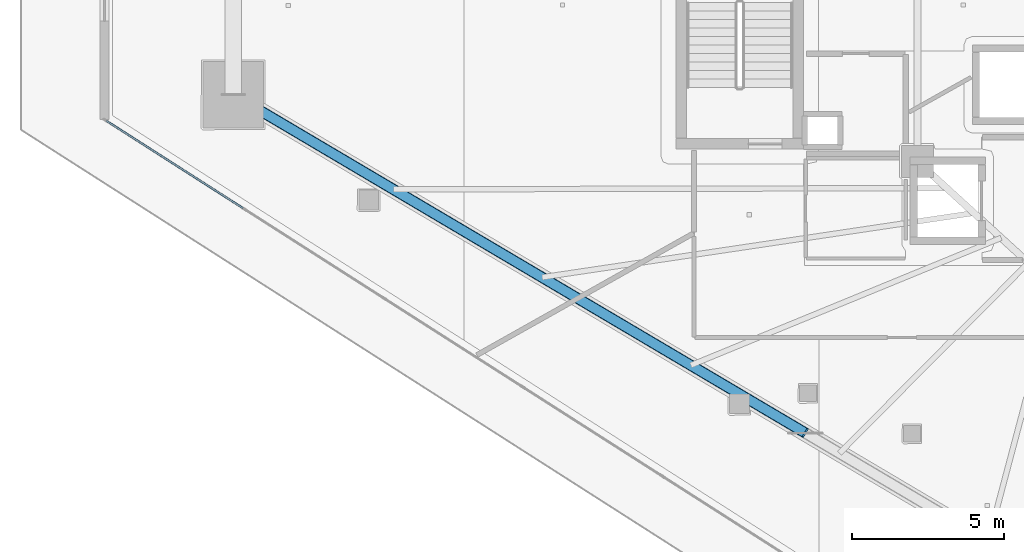
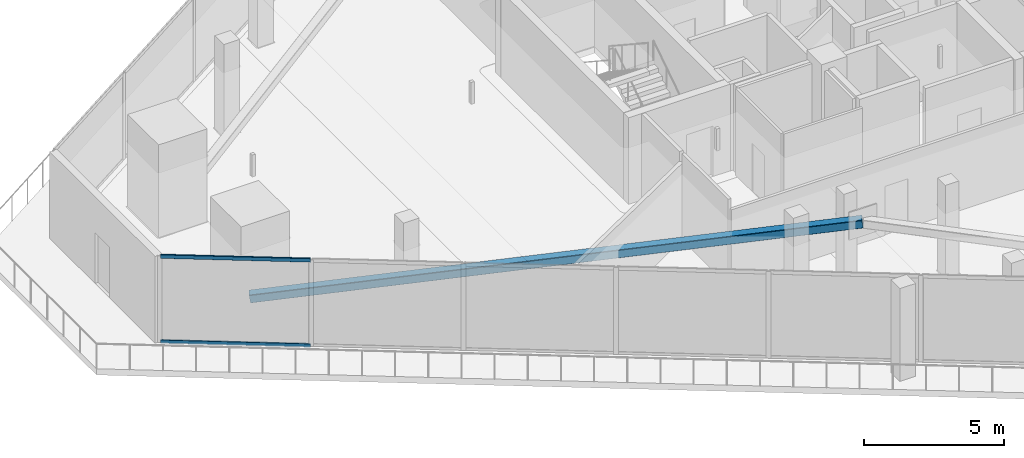
# One storey, part 4 of 40: 3 members, 1 element without a shape of its own.
"""IFC4 building model written with IfcOpenShell, lengths in metres."""

from ifc_helpers import new_model, si_unit, direction, frame, origin, origin_2d, place, context, subcontext, project, spatial, hollow_rectangle, extrude, material, layer, layer_set, material_profile, profile_set, type_object, element, aggregate, save


model = new_model("IFC4")

# Units and contexts
model_context = context("Model", 3, precision=1e-05, world=origin(), true_north=direction((0.0, 1.0)))
body_context = subcontext(model_context, "Body", "Model", "MODEL_VIEW")
ifc_project = project(units=[si_unit("LENGTHUNIT", "METRE"), si_unit("AREAUNIT", "SQUARE_METRE"), si_unit("VOLUMEUNIT", "CUBIC_METRE"), si_unit("PLANEANGLEUNIT", "RADIAN"), si_unit("MASSUNIT", "GRAM", prefix="KILO")], contexts=[model_context])

# Site, building, storey
site_placement = place(None, origin())
site = spatial("IfcSite", under=ifc_project, at=site_placement, CompositionType="ELEMENT")
building_placement = place(site_placement, origin())
building = spatial("IfcBuilding", under=site, at=building_placement, Name="Qorvath Tower", CompositionType="ELEMENT")
storey_placement = place(building_placement, frame((0.0, 0.0, 138.14990234375)))
storey = spatial("IfcBuildingStorey", under=building, at=storey_placement, Name="L31", CompositionType="ELEMENT", Elevation=138.14990234375)

# Curtain wall, members
ifc_material_1 = material(Name="Anodised aluminium and triple low-E glass", Category="aluminium")
ifc_layer = layer(ifc_material_1, 0.179931640625)
ifc_layer_set = layer_set([ifc_layer], Name="CW-SYS-3")
curtain_wall_type = type_object("IfcCurtainWallType", Name="CW-SYS-3", PredefinedType="NOTDEFINED", material=ifc_layer_set)
curtain_wall_placement = place(storey_placement, origin())
curtain_wall = element("IfcCurtainWall", 1, at=curtain_wall_placement, inside=storey, type_object=curtain_wall_type, Name="Curtain Wall CW-3 CW-T-L31-2.1", PredefinedType="NOTDEFINED")
ifc_material_2 = material(Name="Anodised aluminium 6063-T6", Category="aluminium")
ifc_material_profile_1 = material_profile(ifc_material_2, hollow_rectangle(XDim=0.06494140625, YDim=0.159912109375, WallThickness=0.00341796875, InnerFilletRadius=0.00341796875, OuterFilletRadius=0.007080078125, at=origin_2d()), Name="CWT 160x65")
ifc_profile_set_1 = profile_set([ifc_material_profile_1], Name="Anodised aluminium 6063-T6")
member_type_1 = type_object("IfcMemberType", Name="CWT-160", PredefinedType="USERDEFINED", material=ifc_profile_set_1)
member_1_placement = place(storey_placement, frame((-57.231689453125, -3.810791015625, 0.032470703125), z_axis=(0.842589967804, -0.538555611015, 0.0), x_axis=(0.538555611015, 0.842589967804, 0.0)))
member_1 = element("IfcMember", 2, at=member_1_placement, type_object=member_type_1, Name="CW-3 transom 1.1", ObjectType="TRANSOM", PredefinedType="USERDEFINED", context=body_context, shape_type="SweptSolid", body=[
    extrude(hollow_rectangle(XDim=0.06494140625, YDim=0.159912109375, WallThickness=0.00341796875, InnerFilletRadius=0.00341796875, OuterFilletRadius=0.007080078125, at=origin_2d()), origin(), (0.0, 0.0, 1.0), 5.35595703125),
])
member_2_placement = place(storey_placement, frame((-57.231689453125, -3.810791015625, 3.74755859375), z_axis=(0.842589967804, -0.538555611015, 0.0), x_axis=(0.538555611015, 0.842589967804, 0.0)))
member_2 = element("IfcMember", 3, at=member_2_placement, type_object=member_type_1, Name="CW-3 transom 1.2", ObjectType="TRANSOM", PredefinedType="USERDEFINED", context=body_context, shape_type="SweptSolid", body=[
    extrude(hollow_rectangle(XDim=0.06494140625, YDim=0.159912109375, WallThickness=0.00341796875, InnerFilletRadius=0.00341796875, OuterFilletRadius=0.007080078125, at=origin_2d()), origin(), (0.0, 0.0, 1.0), 5.35595703125),
])
aggregate(curtain_wall, [member_1, member_2])

# Member
ifc_material_3 = material(Name="Steel ASTM A500 Grade C", Category="steel")
ifc_material_profile_2 = material_profile(ifc_material_3, hollow_rectangle(XDim=0.355712890625, YDim=0.355712890625, WallThickness=0.015869140625, InnerFilletRadius=0.015869140625, OuterFilletRadius=0.03173828125, at=origin_2d()), Name="HSS 356x356x16")
ifc_profile_set_2 = profile_set([ifc_material_profile_2], Name="Steel ASTM A500 Grade C")
member_type_2 = type_object("IfcMemberType", Name="MEM-MB2", PredefinedType="BRACE", material=ifc_profile_set_2)
member_3_placement = place(storey_placement, frame((-53.04931640625, -2.95068359375, 0.0), z_axis=(0.850410115142, -0.502856465521, 0.154719136333), x_axis=(0.508985415689, 0.860775142889, 0.0)))
element("IfcMember", 4, at=member_3_placement, inside=storey, type_object=member_type_2, Name="Perimeter Chevron Brace L31-2A", PredefinedType="BRACE", context=body_context, shape_type="SweptSolid", body=[
    extrude(hollow_rectangle(XDim=0.355712890625, YDim=0.355712890625, WallThickness=0.015869140625, InnerFilletRadius=0.015869140625, OuterFilletRadius=0.03173828125, at=origin_2d()), origin(), (0.0, 0.0, 1.0), 22.168701171875),
])

save(model, "model.ifc")
